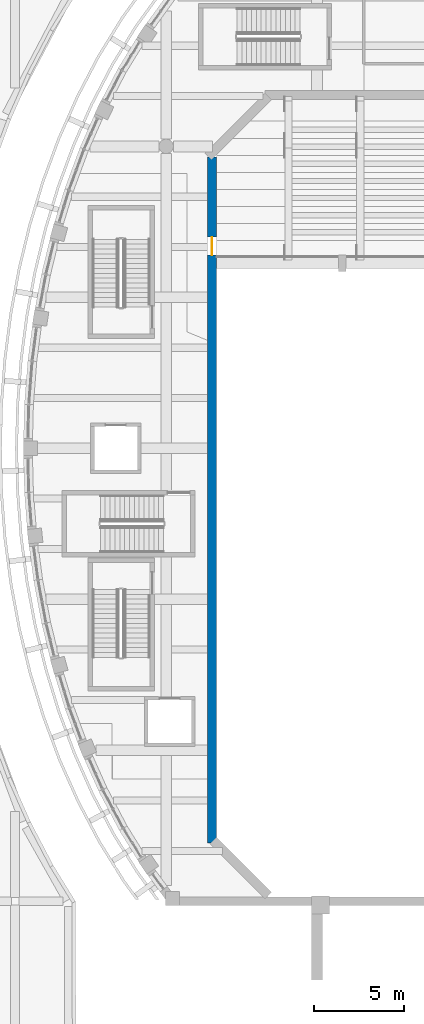
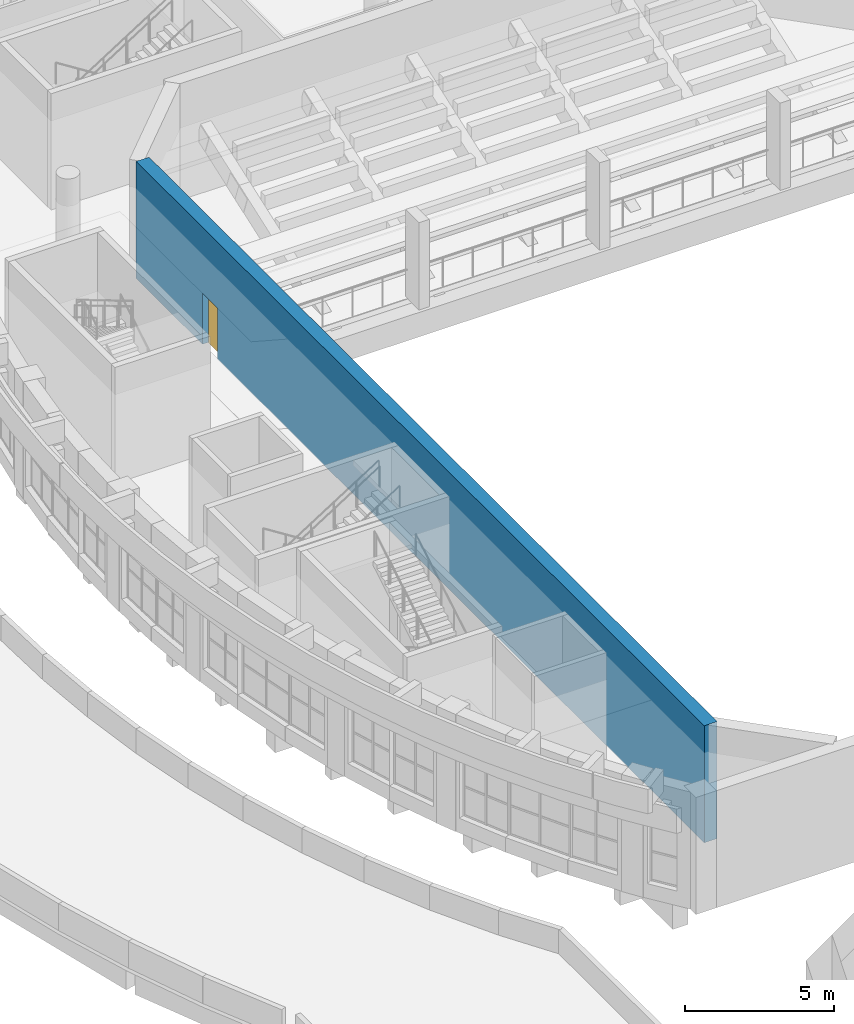
# One storey, part 23 of 79: 1 door, 1 wall, 1 opening.
"""IFC4 building model written with IfcOpenShell, lengths in metres."""

from ifc_helpers import new_model, si_unit, direction, frame, frame_2d, origin, place, context, subcontext, project, spatial, rectangle, extrude, material, layer, layer_set, type_object, element, fill, save


model = new_model("IFC4")

# Units and contexts
model_context = context("Model", 3, precision=1e-05, world=origin(), true_north=direction((0.0, 1.0)))
body_context = subcontext(model_context, "Body", "Model", "MODEL_VIEW")
ifc_project = project(units=[si_unit("LENGTHUNIT", "METRE"), si_unit("AREAUNIT", "SQUARE_METRE"), si_unit("VOLUMEUNIT", "CUBIC_METRE"), si_unit("PLANEANGLEUNIT", "RADIAN"), si_unit("MASSUNIT", "GRAM", prefix="KILO")], contexts=[model_context])

# Site, building, storey
site_placement = place(None, origin())
site = spatial("IfcSite", under=ifc_project, at=site_placement, CompositionType="ELEMENT")
building_placement = place(site_placement, origin())
building = spatial("IfcBuilding", under=site, at=building_placement, Name="Larchfold Concert Hall", CompositionType="ELEMENT")
storey_placement = place(building_placement, frame((0.0, 0.0, 14.39990234375)))
storey = spatial("IfcBuildingStorey", under=building, at=storey_placement, Name="L03", CompositionType="ELEMENT", Elevation=14.39990234375)

# Wall, opening, door
ifc_material_1 = material(Name="Concrete C40/50", Category="concrete")
ifc_layer = layer(ifc_material_1, 0.5)
ifc_layer_set = layer_set([ifc_layer], Name="Concrete C40/50")
wall_type = type_object("IfcWallType", Name="Wall RC 500 hall shell", PredefinedType="SOLIDWALL", material=ifc_layer_set)
wall_placement = place(storey_placement, frame((28.35009765625, 100.800048828125, 0.0), z_axis=(0.0, 0.0, 1.0), x_axis=(0.0, -1.0, 0.0)))
wall = element("IfcWall", 1, at=wall_placement, inside=storey, type_object=wall_type, Name="Wall W0006", PredefinedType="SOLIDWALL", context=body_context, shape_type="SweptSolid", body=[
    extrude(rectangle(XDim=38.1513671875, YDim=0.5, at=frame_2d((19.07568359375, 0.0))), origin(), (0.0, 0.0, 1.0), 4.800048828125),
])
opening_placement = place(wall_placement, frame((5.449951171875, 0.0, 0.0), z_axis=(0.0, 0.0, 1.0), x_axis=(-1.0, 0.0, 0.0)))
opening = element("IfcOpeningElement", 2, at=opening_placement, cuts=wall, Name="Opening D-L03-149", PredefinedType="OPENING", context=body_context, shape_type="SweptSolid", body=[
    extrude(rectangle(XDim=1.0, YDim=2.10009765625, at=frame_2d((0.5, 1.050048828125))), frame((0.0, 0.260009765625, 0.0), z_axis=(0.0, -1.0, 0.0), x_axis=(1.0, 0.0, 0.0)), (0.0, 0.0, 1.0), 0.52001953125),
])
ifc_material_2 = material(Name="Timber door leaf", Category="wood")
door_type = type_object("IfcDoorType", Name="Hall vomitory door pair, acoustic 1000 x 2100 FD60", OperationType="SINGLE_SWING_LEFT", PredefinedType="DOOR", material=ifc_material_2)
door_placement = place(opening_placement, origin())
door = element("IfcDoor", 3, at=door_placement, inside=storey, type_object=door_type, Name="Door D-L03-149", OperationType="SINGLE_SWING_LEFT", OverallHeight=2.10009765625, OverallWidth=1.0, PredefinedType="DOOR", context=body_context, shape_type="SweptSolid", body=[
    extrude(rectangle(XDim=1.0, YDim=2.10009765625, at=frame_2d((0.5, 1.050048828125))), frame((0.0, 0.02490234375, 0.0), z_axis=(0.0, -1.0, 0.0), x_axis=(1.0, 0.0, 0.0)), (0.0, 0.0, 1.0), 0.050048828125),
])
fill(opening, door)

save(model, "model.ifc")
